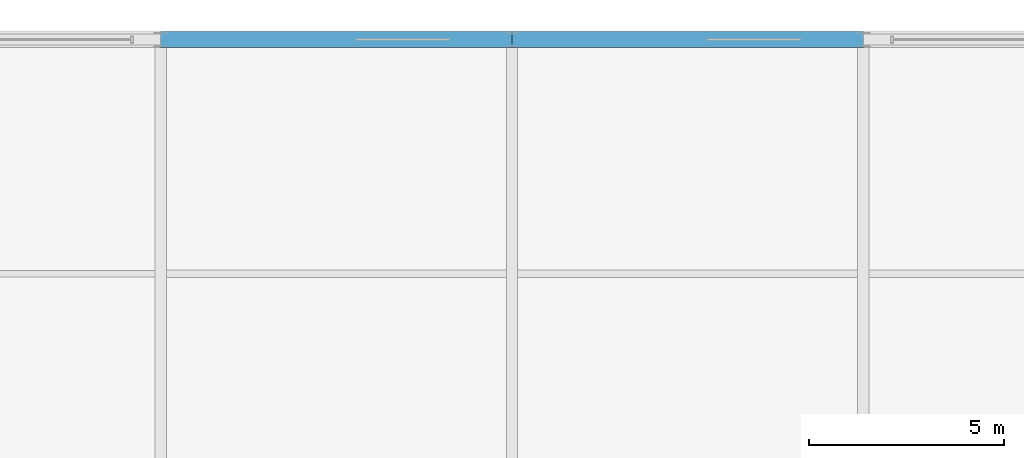
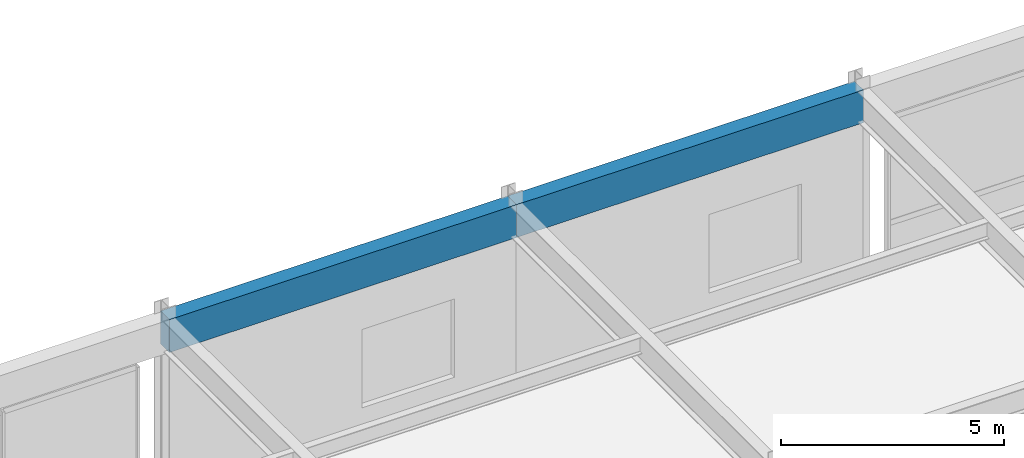
# One storey, part 69 of 100: 2 beams.
"""IFC4 building model written with IfcOpenShell, lengths in metres."""

import ifcopenshell
import ifcopenshell.guid

model = None  # the IFC model being written
_history = None  # IfcOwnerHistory: only IFC2X3 demands one
_inside = {}  # id of a spatial element -> (the spatial element, [elements in it])
_under = {}  # id of a project, library or spatial element -> (it, [spatial elements below it])
_declared = {}  # id of a project -> (the project, [libraries it declares])
_typed = {}  # id of a type object -> (the type object, [elements of that type])
_made_of = {}  # id of a material, layer set ... -> (it, [elements and type objects made of it])


def new_model(schema):
    """Start an empty IFC model of exactly this schema.

    Asked for "IFC4X3", IfcOpenShell would pick the latest addendum, in which some entities
    have other attributes; the version numbers below select the first issue.
    IFC2X3 requires an IfcOwnerHistory on every rooted entity: one is made here for all.
    """
    global model, _history
    if schema == "IFC4X3":
        model = ifcopenshell.file(schema_version=(4, 3, 0, 0))
    else:
        model = ifcopenshell.file(schema=schema)
    _inside.clear()
    _under.clear()
    _declared.clear()
    _typed.clear()
    _made_of.clear()
    _history = None
    if model.schema == "IFC2X3":
        org = make("IfcOrganization", Name="unknown")
        user = make(
            "IfcPersonAndOrganization",
            ThePerson=make("IfcPerson", FamilyName="unknown"),
            TheOrganization=org,
        )
        app = make(
            "IfcApplication",
            ApplicationDeveloper=org,
            Version="unknown",
            ApplicationFullName="unknown",
            ApplicationIdentifier="unknown",
        )
        _history = make(
            "IfcOwnerHistory",
            OwningUser=user,
            OwningApplication=app,
            ChangeAction="ADDED",
            CreationDate=0,
        )
    return model


def make(cls, **values):
    """One entity of the class cls with the attributes given. An attribute that is None is left unset."""
    return model.create_entity(
        cls, **{name: value for name, value in values.items() if value is not None}
    )


def rooted(cls, **values):
    """An entity with a GlobalId (a new one), such as an element, a storey or a relation."""
    return make(cls, GlobalId=ifcopenshell.guid.new(), OwnerHistory=_history, **values)


def si_unit(unit_type, name, prefix=None):
    """IfcSIUnit, for example si_unit("LENGTHUNIT", "METRE", prefix="MILLI")."""
    return make("IfcSIUnit", UnitType=unit_type, Prefix=prefix, Name=name)


def assignment(units):
    """IfcUnitAssignment: the units of a project."""
    return None if units is None else make("IfcUnitAssignment", Units=units)


def point(xyz):
    """IfcCartesianPoint."""
    return None if xyz is None else make("IfcCartesianPoint", Coordinates=xyz)


def direction(xyz):
    """IfcDirection."""
    return None if xyz is None else make("IfcDirection", DirectionRatios=xyz)


def frame(location, z_axis=None, x_axis=None):
    """IfcAxis2Placement3D, a coordinate frame: its origin and axes. An axis left out is left unset."""
    return make(
        "IfcAxis2Placement3D",
        Location=point(location),
        Axis=direction(z_axis),
        RefDirection=direction(x_axis),
    )


def frame_2d(location, x_axis=None):
    """IfcAxis2Placement2D, a coordinate frame in the plane: its origin and x axis."""
    return make(
        "IfcAxis2Placement2D", Location=point(location), RefDirection=direction(x_axis)
    )


def origin():
    """The frame at (0, 0, 0) with its axes left unset."""
    return frame((0.0, 0.0, 0.0))


def origin_2d():
    """The frame at (0, 0) in the plane with its x axis left unset."""
    return frame_2d((0.0, 0.0))


def place(relative_to, where):
    """IfcLocalPlacement: puts the frame where relative to a parent placement (None: the world)."""
    return make(
        "IfcLocalPlacement", PlacementRelTo=relative_to, RelativePlacement=where
    )


def context(
    kind, dimensions, precision=None, world=None, true_north=None, identifier=None
):
    """IfcGeometricRepresentationContext, for example the 3D "Model" context."""
    return make(
        "IfcGeometricRepresentationContext",
        ContextIdentifier=identifier,
        ContextType=kind,
        CoordinateSpaceDimension=dimensions,
        Precision=precision,
        WorldCoordinateSystem=world,
        TrueNorth=true_north,
    )


def subcontext(parent, identifier, kind, view, scale=None):
    """IfcGeometricRepresentationSubContext, for example "Body" below "Model"."""
    return make(
        "IfcGeometricRepresentationSubContext",
        ContextIdentifier=identifier,
        ContextType=kind,
        ParentContext=parent,
        TargetScale=scale,
        TargetView=view,
    )


def project(units=None, contexts=None):
    """IfcProject with its units and contexts."""
    return rooted(
        "IfcProject",
        Name="project",
        RepresentationContexts=contexts,
        UnitsInContext=assignment(units),
    )


def spatial(cls, under=None, at=None, **own):
    """A site, building, storey or space (cls), placed at a placement, below another one or the project."""
    s = rooted(cls, ObjectPlacement=at, **own)
    if under is not None:
        _under.setdefault(under.id(), (under, []))[1].append(s)
    return s


def profile(cls, at=None, kind="AREA", **sizes):
    """A parametric profile (cls). Its sizes go by their IFC names, for example OverallWidth=200.0."""
    return make(cls, ProfileType=kind, Position=at, **sizes)


def rectangle(**sizes):
    """IfcRectangleProfileDef."""
    return profile("IfcRectangleProfileDef", **sizes)


def extrude(swept, where, along, depth):
    """IfcExtrudedAreaSolid: the profile swept, set in the frame where, extruded along a direction by depth."""
    return make(
        "IfcExtrudedAreaSolid",
        SweptArea=swept,
        Position=where,
        ExtrudedDirection=direction(along),
        Depth=depth,
    )


def shape(context_of_items, identifier, shape_type, items):
    """IfcShapeRepresentation: the items that make up one representation, for example the "Body"."""
    return make(
        "IfcShapeRepresentation",
        ContextOfItems=context_of_items,
        RepresentationIdentifier=identifier,
        RepresentationType=shape_type,
        Items=items,
    )


def material(Name=None, Category=None):
    """IfcMaterial."""
    return make("IfcMaterial", Name=Name, Category=Category)


def material_profile(
    of_material, cross_section, Name=None, Category=None, Priority=None
):
    """IfcMaterialProfile: a cross section and its material."""
    return make(
        "IfcMaterialProfile",
        Name=Name,
        Material=of_material,
        Profile=cross_section,
        Priority=Priority,
        Category=Category,
    )


def profile_set(profiles, Name=None, composite=None):
    """IfcMaterialProfileSet."""
    return make(
        "IfcMaterialProfileSet",
        Name=Name,
        MaterialProfiles=profiles,
        CompositeProfile=composite,
    )


def made_of(thing, what):
    """Note that an element or type object is made of a material, layer set ...; save() writes the relation."""
    if what is not None:
        _made_of.setdefault(what.id(), (what, []))[1].append(thing)
    return thing


def type_object(cls, material=None, **own):
    """A type object (cls), such as IfcWallType, which elements share."""
    return made_of(rooted(cls, **own), material)


def element(
    cls,
    number,
    at=None,
    inside=None,
    cuts=None,
    type_object=None,
    material=None,
    context=None,
    identifier="Body",
    shape_type=None,
    held_by="IfcProductDefinitionShape",
    body=None,
    shapes=None,
    **own,
):
    """One element of the class cls, such as IfcWall. Its Tag is "e" and its number.

    at: its placement. inside: the storey or other place that contains it. cuts: it is an
    opening in that element (IfcRelVoidsElement). A single representation is given by context,
    identifier, shape_type and body (its items); several are given by shapes. held_by: the class
    of the entity that holds the representations. save() writes the other relations.
    """
    e = rooted(cls, Tag="e%d" % number, ObjectPlacement=at, **own)
    if body is not None:
        shapes = [shape(context, identifier, shape_type, body)]
    if shapes is not None:
        e.Representation = make(held_by, Representations=shapes)
    if inside is not None:
        _inside.setdefault(inside.id(), (inside, []))[1].append(e)
    if cuts is not None:
        rooted(
            "IfcRelVoidsElement", RelatingBuildingElement=cuts, RelatedOpeningElement=e
        )
    if type_object is not None:
        _typed.setdefault(type_object.id(), (type_object, []))[1].append(e)
    return made_of(e, material)


def aggregate(whole, parts):
    """IfcRelAggregates: a whole, such as a stair, and the parts it consists of."""
    return rooted("IfcRelAggregates", RelatingObject=whole, RelatedObjects=parts)


def save(model, path):
    """Write the relations noted so far, then the file.

    IfcRelAggregates (storeys below a building ...), IfcRelContainedInSpatialStructure (elements
    in a storey), IfcRelDefinesByType, IfcRelAssociatesMaterial and IfcRelDeclares: one each for
    every whole, place, type object, material and project.
    """
    for whole, parts in _under.values():
        aggregate(whole, parts)
    for where, things in _inside.values():
        rooted(
            "IfcRelContainedInSpatialStructure",
            RelatedElements=things,
            RelatingStructure=where,
        )
    for kind, things in _typed.values():
        rooted("IfcRelDefinesByType", RelatedObjects=things, RelatingType=kind)
    for what, things in _made_of.values():
        rooted("IfcRelAssociatesMaterial", RelatedObjects=things, RelatingMaterial=what)
    for by, libraries in _declared.values():
        rooted("IfcRelDeclares", RelatingContext=by, RelatedDefinitions=libraries)
    model.write(path)


model = new_model("IFC4")

# Units and contexts
model_context = context("Model", 3, precision=1e-05, world=origin(), true_north=direction((0.0, 1.0)))
body_context = subcontext(model_context, "Body", "Model", "MODEL_VIEW")
ifc_project = project(units=[si_unit("LENGTHUNIT", "METRE"), si_unit("AREAUNIT", "SQUARE_METRE"), si_unit("VOLUMEUNIT", "CUBIC_METRE"), si_unit("PLANEANGLEUNIT", "RADIAN"), si_unit("MASSUNIT", "GRAM", prefix="KILO")], contexts=[model_context])

# Site, building, storey
site_placement = place(None, origin())
site = spatial("IfcSite", under=ifc_project, at=site_placement, CompositionType="ELEMENT")
building_placement = place(site_placement, origin())
building = spatial("IfcBuilding", under=site, at=building_placement, Name="Kaldorvane Square Convention Centre", CompositionType="ELEMENT")
storey_placement = place(building_placement, frame((0.0, 0.0, 18.0)))
storey = spatial("IfcBuildingStorey", under=building, at=storey_placement, Name="L03", CompositionType="ELEMENT", Elevation=18.0)

# Beams
ifc_material = material(Name="Concrete f'c = 42 MPa (Normalweight)", Category="concrete")
ifc_material_profile = material_profile(ifc_material, rectangle(XDim=0.399993896484375, YDim=0.899993896484375, at=origin_2d()), Name="RCSP900X400")
ifc_profile_set = profile_set([ifc_material_profile], Name="Concrete f'c = 42 MPa (Normalweight)")
beam_type = type_object("IfcBeamType", Name="BM-SP-RC900", PredefinedType="SPANDREL", material=ifc_profile_set)
for number, where, z_axis, x_axis, name in (
    (1, (138.0, 117.0, 4.626007080078125), (1.0, 0.0, 0.0), (0.0, 1.0, 0.0), "Perimeter Spandrel (L03)"),
    (2, (147.0, 117.0, 4.626007080078125), (1.0, 0.0, 0.0), (0.0, 1.0, 0.0), "Perimeter Spandrel (L03)"),
):
    element("IfcBeam", number, at=place(storey_placement, frame(where, z_axis=z_axis, x_axis=x_axis)), inside=storey, type_object=beam_type, Name=name, PredefinedType="SPANDREL", context=body_context, shape_type="SweptSolid", body=[
        extrude(rectangle(XDim=0.399993896484375, YDim=0.899993896484375, at=origin_2d()), origin(), (0.0, 0.0, 1.0), 9.0),
    ])

save(model, "model.ifc")
